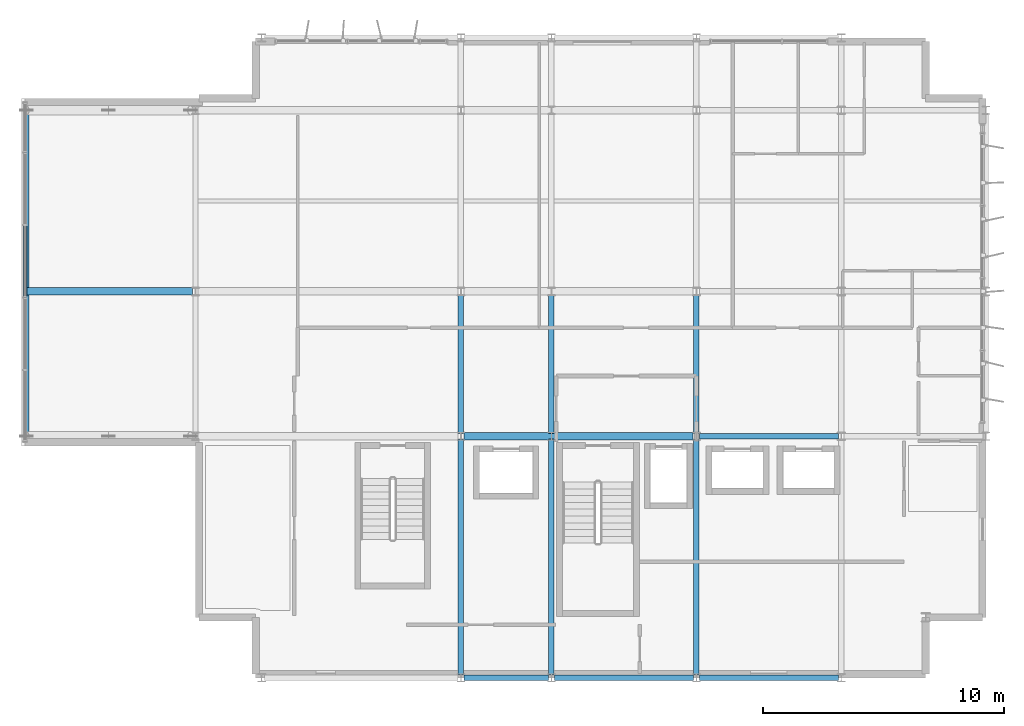
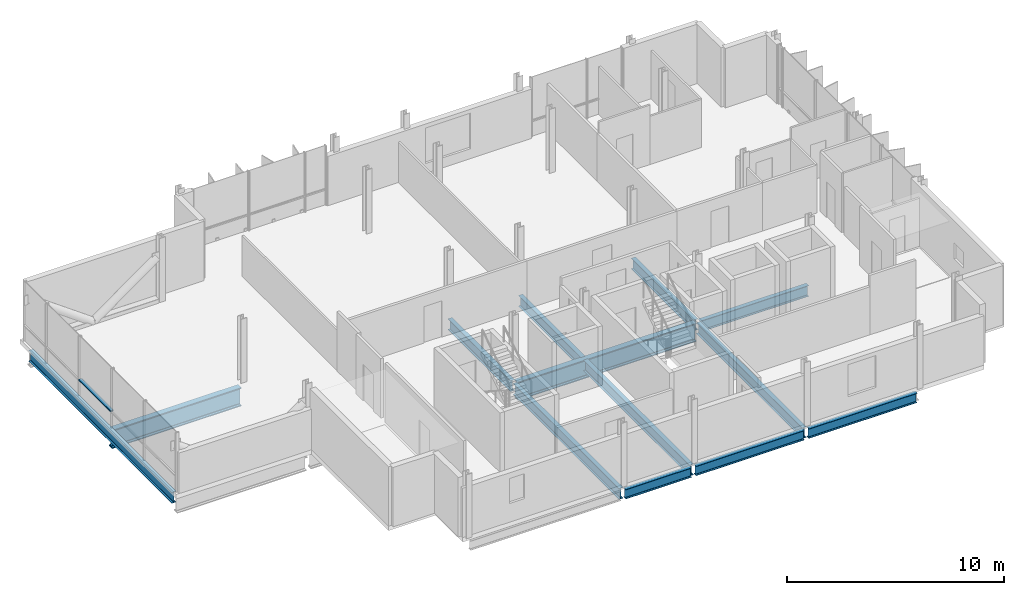
# One storey, part 3 of 18: 13 beams, 1 member, 1 element without a shape of its own.
"""IFC4 building model written with IfcOpenShell, lengths in metres."""

from ifc_helpers import new_model, si_unit, direction, frame, origin, origin_2d, place, context, subcontext, project, spatial, hollow_rectangle, i_section, extrude, material, layer, layer_set, material_profile, profile_set, type_object, element, aggregate, save


model = new_model("IFC4")

# Units and contexts
model_context = context("Model", 3, precision=1e-05, world=origin(), true_north=direction((0.0, 1.0)))
body_context = subcontext(model_context, "Body", "Model", "MODEL_VIEW")
ifc_project = project(units=[si_unit("LENGTHUNIT", "METRE"), si_unit("AREAUNIT", "SQUARE_METRE"), si_unit("VOLUMEUNIT", "CUBIC_METRE"), si_unit("PLANEANGLEUNIT", "RADIAN"), si_unit("MASSUNIT", "GRAM", prefix="KILO")], contexts=[model_context])

# Site, building, storey
site_placement = place(None, origin())
site = spatial("IfcSite", under=ifc_project, at=site_placement, CompositionType="ELEMENT")
building_placement = place(site_placement, origin())
building = spatial("IfcBuilding", under=site, at=building_placement, Name="Brevholm Reach", CompositionType="ELEMENT")
storey_placement = place(building_placement, frame((0.0, 0.0, 243.64990234375)))
storey = spatial("IfcBuildingStorey", under=building, at=storey_placement, Name="L74", CompositionType="ELEMENT", Elevation=243.64990234375)

# Beams
ifc_material_1 = material(Name="Structural Steel S355J2", Category="steel")
ifc_material_profile_1 = material_profile(ifc_material_1, i_section(OverallWidth=0.210693359375, OverallDepth=0.53955078125, WebThickness=0.01171875, FlangeThickness=0.018798828125, FilletRadius=0.0126953125, at=origin_2d()), Name="UKB 533x210x109")
ifc_profile_set_1 = profile_set([ifc_material_profile_1], Name="Structural Steel S355J2")
beam_type_1 = type_object("IfcBeamType", Name="BM-SP539", PredefinedType="SPANDREL", material=ifc_profile_set_1)
beam_1_placement = place(storey_placement, frame((38.3701171875, 0.0, -0.51953125), z_axis=(1.0, 0.0, 0.0), x_axis=(0.0, 1.0, 0.0)))
element("IfcBeam", 1, at=beam_1_placement, inside=storey, type_object=beam_type_1, Name="L74 SP-01B Framing Beam", PredefinedType="SPANDREL", context=body_context, shape_type="SweptSolid", body=[
    extrude(i_section(OverallWidth=0.210693359375, OverallDepth=0.53955078125, WebThickness=0.01171875, FlangeThickness=0.018798828125, FilletRadius=0.0126953125, at=origin_2d()), origin(), (0.0, 0.0, 1.0), 3.509765625),
])
for number, where, z_axis, x_axis, name in (
    (2, (42.1201171875, 0.0, -0.51953125), (1.0, 0.0, 0.0), (0.0, 1.0, 0.0), "L74 SP-01B Framing Beam"),
    (3, (48.1201171875, 0.0, -0.51953125), (1.0, 0.0, 0.0), (0.0, 1.0, 0.0), "L74 SP-01B Framing Beam"),
):
    element("IfcBeam", number, at=place(storey_placement, frame(where, z_axis=z_axis, x_axis=x_axis)), inside=storey, type_object=beam_type_1, Name=name, PredefinedType="SPANDREL", context=body_context, shape_type="SweptSolid", body=[
        extrude(i_section(OverallWidth=0.210693359375, OverallDepth=0.53955078125, WebThickness=0.01171875, FlangeThickness=0.018798828125, FilletRadius=0.0126953125, at=origin_2d()), origin(), (0.0, 0.0, 1.0), 5.759765625),
    ])
ifc_material_2 = material(Name="Structural Steel S355J2", Category="steel")
ifc_material_profile_2 = material_profile(ifc_material_2, i_section(OverallWidth=0.22900390625, OverallDepth=0.6123046875, WebThickness=0.011962890625, FlangeThickness=0.01953125, FilletRadius=0.0126953125, at=origin_2d()), Name="UKB 610x229x125")
ifc_profile_set_2 = profile_set([ifc_material_profile_2], Name="Structural Steel S355J2")
beam_type_2 = type_object("IfcBeamType", Name="BM-SP610", PredefinedType="SPANDREL", material=ifc_profile_set_2)
beam_2_placement = place(storey_placement, frame((20.25, 10.14990234375, -0.555908203125), z_axis=(0.0, 1.0, 0.0), x_axis=(-1.0, 0.0, 0.0)))
element("IfcBeam", 4, at=beam_2_placement, inside=storey, type_object=beam_type_2, Name="L74 Sky-Lounge Tip Spandrel Beam", PredefinedType="SPANDREL", context=body_context, shape_type="SweptSolid", body=[
    extrude(i_section(OverallWidth=0.22900390625, OverallDepth=0.6123046875, WebThickness=0.011962890625, FlangeThickness=0.01953125, FilletRadius=0.0126953125, at=origin_2d()), origin(), (0.0, 0.0, 1.0), 13.2001953125),
])
beam_3_placement = place(storey_placement, frame((48.1201171875, 10.0, -0.555908203125), z_axis=(1.0, 0.0, 0.0), x_axis=(0.0, 1.0, 0.0)))
element("IfcBeam", 5, at=beam_3_placement, inside=storey, type_object=beam_type_2, Name="L74 SP-01 Framing Beam", PredefinedType="SPANDREL", context=body_context, shape_type="SweptSolid", body=[
    extrude(i_section(OverallWidth=0.22900390625, OverallDepth=0.6123046875, WebThickness=0.011962890625, FlangeThickness=0.01953125, FilletRadius=0.0126953125, at=origin_2d()), origin(), (0.0, 0.0, 1.0), 5.759765625),
])
beam_4_placement = place(storey_placement, frame((38.25, 0.1201171875, -0.555908203125), z_axis=(0.0, 1.0, 0.0), x_axis=(-1.0, 0.0, 0.0)))
element("IfcBeam", 6, at=beam_4_placement, inside=storey, type_object=beam_type_2, Name="L74 SP-01 Framing Beam", PredefinedType="SPANDREL", context=body_context, shape_type="SweptSolid", body=[
    extrude(i_section(OverallWidth=0.22900390625, OverallDepth=0.6123046875, WebThickness=0.011962890625, FlangeThickness=0.01953125, FilletRadius=0.0126953125, at=origin_2d()), origin(), (0.0, 0.0, 1.0), 9.759765625),
])
beam_5_placement = place(storey_placement, frame((38.25, 10.1201171875, -0.555908203125), z_axis=(0.0, 1.0, 0.0), x_axis=(-1.0, 0.0, 0.0)))
element("IfcBeam", 7, at=beam_5_placement, inside=storey, type_object=beam_type_2, Name="L74 SP-01 Framing Beam", PredefinedType="SPANDREL", context=body_context, shape_type="SweptSolid", body=[
    extrude(i_section(OverallWidth=0.22900390625, OverallDepth=0.6123046875, WebThickness=0.011962890625, FlangeThickness=0.01953125, FilletRadius=0.0126953125, at=origin_2d()), origin(), (0.0, 0.0, 1.0), 5.759765625),
])
beam_6_placement = place(storey_placement, frame((42.0, 0.1201171875, -0.555908203125), z_axis=(0.0, 1.0, 0.0), x_axis=(-1.0, 0.0, 0.0)))
element("IfcBeam", 8, at=beam_6_placement, inside=storey, type_object=beam_type_2, Name="L74 SP-01 Framing Beam", PredefinedType="SPANDREL", context=body_context, shape_type="SweptSolid", body=[
    extrude(i_section(OverallWidth=0.22900390625, OverallDepth=0.6123046875, WebThickness=0.011962890625, FlangeThickness=0.01953125, FilletRadius=0.0126953125, at=origin_2d()), origin(), (0.0, 0.0, 1.0), 9.759765625),
])
beam_7_placement = place(storey_placement, frame((42.0, 10.1201171875, -0.555908203125), z_axis=(0.0, 1.0, 0.0), x_axis=(-1.0, 0.0, 0.0)))
element("IfcBeam", 9, at=beam_7_placement, inside=storey, type_object=beam_type_2, Name="L74 SP-01 Framing Beam", PredefinedType="SPANDREL", context=body_context, shape_type="SweptSolid", body=[
    extrude(i_section(OverallWidth=0.22900390625, OverallDepth=0.6123046875, WebThickness=0.011962890625, FlangeThickness=0.01953125, FilletRadius=0.0126953125, at=origin_2d()), origin(), (0.0, 0.0, 1.0), 5.759765625),
])
beam_8_placement = place(storey_placement, frame((48.0, 0.1201171875, -0.555908203125), z_axis=(0.0, 1.0, 0.0), x_axis=(-1.0, 0.0, 0.0)))
element("IfcBeam", 10, at=beam_8_placement, inside=storey, type_object=beam_type_2, Name="L74 SP-01 Framing Beam", PredefinedType="SPANDREL", context=body_context, shape_type="SweptSolid", body=[
    extrude(i_section(OverallWidth=0.22900390625, OverallDepth=0.6123046875, WebThickness=0.011962890625, FlangeThickness=0.01953125, FilletRadius=0.0126953125, at=origin_2d()), origin(), (0.0, 0.0, 1.0), 9.759765625),
])
beam_9_placement = place(storey_placement, frame((48.0, 10.1201171875, -0.555908203125), z_axis=(0.0, 1.0, 0.0), x_axis=(-1.0, 0.0, 0.0)))
element("IfcBeam", 11, at=beam_9_placement, inside=storey, type_object=beam_type_2, Name="L74 SP-01 Framing Beam", PredefinedType="SPANDREL", context=body_context, shape_type="SweptSolid", body=[
    extrude(i_section(OverallWidth=0.22900390625, OverallDepth=0.6123046875, WebThickness=0.011962890625, FlangeThickness=0.01953125, FilletRadius=0.0126953125, at=origin_2d()), origin(), (0.0, 0.0, 1.0), 5.759765625),
])
ifc_material_3 = material(Name="Structural Steel S460ML", Category="steel")
ifc_material_profile_3 = material_profile(ifc_material_3, i_section(OverallWidth=0.30859375, OverallDepth=1.036376953125, WebThickness=0.030029296875, FlangeThickness=0.05419921875, FilletRadius=0.030029296875, at=origin_2d()), Name="UKB 1016x305x487")
ifc_profile_set_3 = profile_set([ifc_material_profile_3], Name="Structural Steel S460ML")
beam_type_3 = type_object("IfcBeamType", Name="BM-UKB1016", PredefinedType="USERDEFINED", material=ifc_profile_set_3)
beam_10_placement = place(storey_placement, frame((38.3701171875, 10.0, -0.76806640625), z_axis=(1.0, 0.0, 0.0), x_axis=(0.0, 1.0, 0.0)))
element("IfcBeam", 12, at=beam_10_placement, inside=storey, type_object=beam_type_3, Name="L74 Sky-Lounge Back-Span Girder 2", ObjectType="GIRDER", PredefinedType="USERDEFINED", context=body_context, shape_type="SweptSolid", body=[
    extrude(i_section(OverallWidth=0.30859375, OverallDepth=1.036376953125, WebThickness=0.030029296875, FlangeThickness=0.05419921875, FilletRadius=0.030029296875, at=origin_2d()), origin(), (0.0, 0.0, 1.0), 9.5),
])
beam_11_placement = place(storey_placement, frame((20.25, 16.0, -0.76806640625), z_axis=(1.0, 0.0, 0.0), x_axis=(0.0, 1.0, 0.0)))
element("IfcBeam", 13, at=beam_11_placement, inside=storey, type_object=beam_type_3, Name="L74 Sky-Lounge Cantilever Girder", ObjectType="GIRDER", PredefinedType="USERDEFINED", context=body_context, shape_type="SweptSolid", body=[
    extrude(i_section(OverallWidth=0.30859375, OverallDepth=1.036376953125, WebThickness=0.030029296875, FlangeThickness=0.05419921875, FilletRadius=0.030029296875, at=origin_2d()), origin(), (0.0, 0.0, 1.0), 6.8798828125),
])

# Curtain wall, member
ifc_material_4 = material(Name="Dark Anodised Aluminium 6063-T6 and Solar-Control Glass", Category="aluminium")
ifc_layer = layer(ifc_material_4, 0.179931640625)
ifc_layer_set = layer_set([ifc_layer], Name="Dark Anodised Aluminium 6063-T6 and Solar-Control Glass")
curtain_wall_type = type_object("IfcCurtainWallType", Name="CW-05", PredefinedType="NOTDEFINED", material=ifc_layer_set)
curtain_wall_placement = place(storey_placement, origin())
curtain_wall = element("IfcCurtainWall", 14, at=curtain_wall_placement, inside=storey, type_object=curtain_wall_type, Name="L74 Curtain Wall CW-05", PredefinedType="NOTDEFINED")
ifc_material_5 = material(Name="Dark Anodised Aluminium 6063-T6", Category="aluminium")
ifc_material_profile_4 = material_profile(ifc_material_5, hollow_rectangle(XDim=0.074951171875, YDim=0.179931640625, WallThickness=0.006103515625, InnerFilletRadius=0.006103515625, OuterFilletRadius=0.011962890625, at=origin_2d()), Name="RHS 180x75x6")
ifc_profile_set_4 = profile_set([ifc_material_profile_4], Name="Dark Anodised Aluminium 6063-T6")
member_type = type_object("IfcMemberType", Name="CWT-180", PredefinedType="NOTDEFINED", material=ifc_profile_set_4)
member_placement = place(storey_placement, frame((20.199951171875, 15.78759765625, 0.900146484375), z_axis=(0.0, 1.0, 0.0), x_axis=(0.0, 0.0, 1.0)))
member = element("IfcMember", 15, at=member_placement, type_object=member_type, Name="CT-180 Transom 3.1", ObjectType="TRANSOM", PredefinedType="USERDEFINED", context=body_context, shape_type="SweptSolid", body=[
    extrude(hollow_rectangle(XDim=0.074951171875, YDim=0.179931640625, WallThickness=0.006103515625, InnerFilletRadius=0.006103515625, OuterFilletRadius=0.011962890625, at=origin_2d()), origin(), (0.0, 0.0, 1.0), 2.9248046875),
])
aggregate(curtain_wall, [member])

save(model, "model.ifc")
